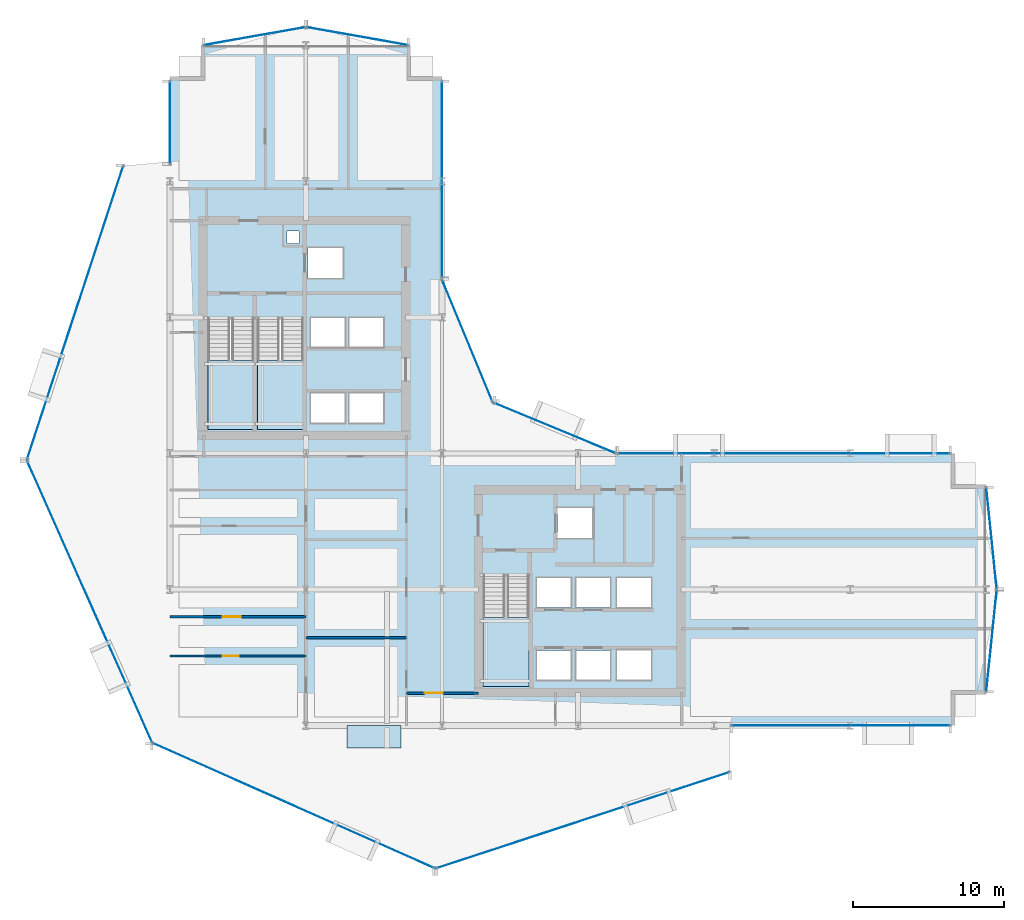
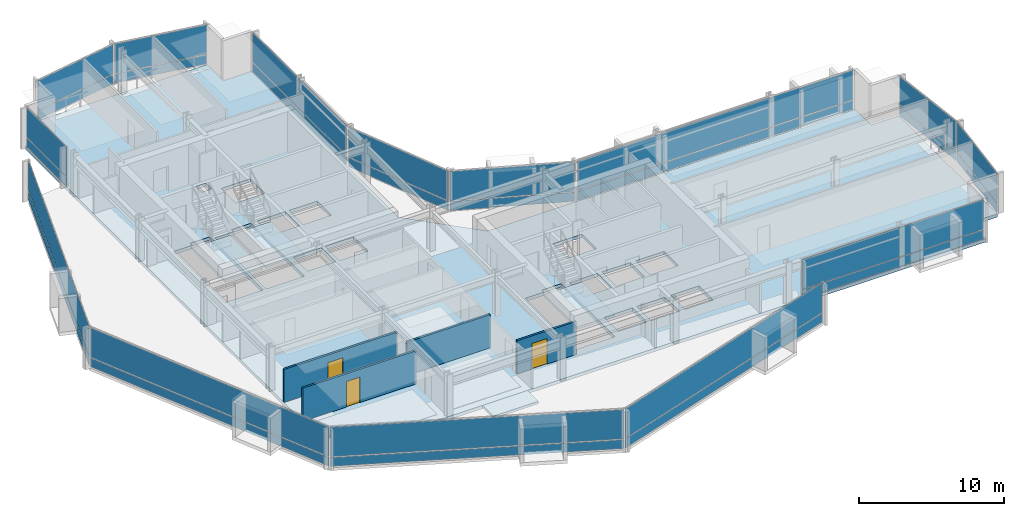
# One storey, part 26 of 34: 28 plates, 5 slabs, 4 walls, 3 doors, 3 openings, 17 elements without a shape of their own.
"""IFC4 building model written with IfcOpenShell, lengths in metres."""

from ifc_helpers import new_model, si_unit, direction, frame, frame_2d, origin, origin_2d, place, context, subcontext, project, spatial, polyline, rectangle, outline, extrude, material, layer, layer_set, type_object, element, fill, aggregate, save


model = new_model("IFC4")

# Units and contexts
model_context = context("Model", 3, precision=1e-05, world=origin(), true_north=direction((0.0, 1.0)))
body_context = subcontext(model_context, "Body", "Model", "MODEL_VIEW")
ifc_project = project(units=[si_unit("LENGTHUNIT", "METRE"), si_unit("AREAUNIT", "SQUARE_METRE"), si_unit("VOLUMEUNIT", "CUBIC_METRE"), si_unit("PLANEANGLEUNIT", "RADIAN"), si_unit("MASSUNIT", "GRAM", prefix="KILO")], contexts=[model_context])

# Site, building, storey
site_placement = place(None, origin())
site = spatial("IfcSite", under=ifc_project, at=site_placement, CompositionType="ELEMENT")
building_placement = place(site_placement, origin())
building = spatial("IfcBuilding", under=site, at=building_placement, Name="Solvaryn Broadcast Tower", CompositionType="ELEMENT")
storey_placement = place(building_placement, frame((0.0, 0.0, 36.0)))
storey = spatial("IfcBuildingStorey", under=building, at=storey_placement, Name="L07", CompositionType="ELEMENT", Elevation=36.0)

# Curtain wall, plates
ifc_material_1 = material(Name="Aluminium and Terracotta Unitised Curtain Wall", Category="masonry")
ifc_layer_1 = layer(ifc_material_1, 0.199951171875)
ifc_layer_set_1 = layer_set([ifc_layer_1], Name="CW-SYS2-LOWMID")
curtain_wall_type_1 = type_object("IfcCurtainWallType", Name="CW-SYS2-LOWMID", PredefinedType="NOTDEFINED", material=ifc_layer_set_1)
curtain_wall_1_placement = place(storey_placement, origin())
curtain_wall_1 = element("IfcCurtainWall", 1, at=curtain_wall_1_placement, inside=storey, type_object=curtain_wall_type_1, Name="L07 Curtain Wall DR1", PredefinedType="NOTDEFINED")
ifc_material_2 = material(Name="Low-Iron Insulated Vision Glass", Category="glass")
ifc_layer_2 = layer(ifc_material_2, 0.035888671875)
ifc_layer_set_2 = layer_set([ifc_layer_2], Name="CW-PNL-VISION")
plate_type = type_object("IfcPlateType", Name="CW-PNL-VISION", PredefinedType="CURTAIN_PANEL", material=ifc_layer_set_2)
plate_1_placement = place(storey_placement, frame((2.72607421875, 36.2880859375, 0.06005859375), z_axis=(0.0, 0.0, 1.0), x_axis=(-0.311594044587, -0.950215318429, 0.0)))
plate_1 = element("IfcPlate", 2, at=plate_1_placement, type_object=plate_type, Name="CWS2 panel 1.1", PredefinedType="CURTAIN_PANEL", context=body_context, shape_type="SweptSolid", body=[
    extrude(rectangle(XDim=20.35546875, YDim=0.028076171875, at=origin_2d()), origin(), (0.0, 0.0, 1.0), 0.760009765625),
])
plate_2_placement = place(storey_placement, frame((2.72607421875, 36.2880859375, 0.880126953125), z_axis=(0.0, 0.0, 1.0), x_axis=(-0.311594044587, -0.950215318429, 0.0)))
plate_2 = element("IfcPlate", 3, at=plate_2_placement, type_object=plate_type, Name="CWS2 panel 1.2", PredefinedType="CURTAIN_PANEL", context=body_context, shape_type="SweptSolid", body=[
    extrude(rectangle(XDim=20.35546875, YDim=0.028076171875, at=origin_2d()), origin(), (0.0, 0.0, 1.0), 2.47998046875),
])
aggregate(curtain_wall_1, [plate_1, plate_2])

ifc_material_3 = material(Name="Aluminium and Terracotta Unitised Curtain Wall", Category="masonry")
ifc_layer_3 = layer(ifc_material_3, 0.239990234375)
ifc_layer_set_3 = layer_set([ifc_layer_3], Name="CW-SYS3-BAYBOX")
curtain_wall_type_2 = type_object("IfcCurtainWallType", Name="CW-SYS3-BAYBOX", PredefinedType="NOTDEFINED", material=ifc_layer_set_3)
curtain_wall_2_placement = place(storey_placement, origin())
curtain_wall_2 = element("IfcCurtainWall", 4, at=curtain_wall_2_placement, inside=storey, type_object=curtain_wall_type_2, Name="L07 Curtain Wall DR2", PredefinedType="NOTDEFINED")
plate_3_placement = place(storey_placement, frame((3.69140625, 17.20361328125, 0.06005859375), z_axis=(0.0, 0.0, 1.0), x_axis=(0.405898286554, -0.913918257271, 0.0)))
plate_3 = element("IfcPlate", 5, at=plate_3_placement, type_object=plate_type, Name="CWS3 panel 1.1", PredefinedType="CURTAIN_PANEL", context=body_context, shape_type="SweptSolid", body=[
    extrude(rectangle(XDim=20.35546875, YDim=0.028076171875, at=origin_2d()), origin(), (0.0, 0.0, 1.0), 0.760009765625),
])
plate_4_placement = place(storey_placement, frame((3.69140625, 17.20361328125, 0.880126953125), z_axis=(0.0, 0.0, 1.0), x_axis=(0.405898286554, -0.913918257271, 0.0)))
plate_4 = element("IfcPlate", 6, at=plate_4_placement, type_object=plate_type, Name="CWS3 panel 1.2", PredefinedType="CURTAIN_PANEL", context=body_context, shape_type="SweptSolid", body=[
    extrude(rectangle(XDim=20.35546875, YDim=0.028076171875, at=origin_2d()), origin(), (0.0, 0.0, 1.0), 2.47998046875),
])
aggregate(curtain_wall_2, [plate_3, plate_4])

curtain_wall_3_placement = place(storey_placement, origin())
curtain_wall_3 = element("IfcCurtainWall", 7, at=curtain_wall_3_placement, inside=storey, type_object=curtain_wall_type_1, Name="L07 Curtain Wall DR3", PredefinedType="NOTDEFINED")
plate_5_placement = place(storey_placement, frame((17.20361328125, 3.69140625, 0.06005859375), z_axis=(0.0, 0.0, 1.0), x_axis=(0.913918257271, -0.405898286554, 0.0)))
plate_5 = element("IfcPlate", 8, at=plate_5_placement, type_object=plate_type, Name="CWS2 panel 1.1", PredefinedType="CURTAIN_PANEL", context=body_context, shape_type="SweptSolid", body=[
    extrude(rectangle(XDim=20.35546875, YDim=0.028076171875, at=origin_2d()), origin(), (0.0, 0.0, 1.0), 0.760009765625),
])
plate_6_placement = place(storey_placement, frame((17.20361328125, 3.69140625, 0.880126953125), z_axis=(0.0, 0.0, 1.0), x_axis=(0.913918257271, -0.405898286554, 0.0)))
plate_6 = element("IfcPlate", 9, at=plate_6_placement, type_object=plate_type, Name="CWS2 panel 1.2", PredefinedType="CURTAIN_PANEL", context=body_context, shape_type="SweptSolid", body=[
    extrude(rectangle(XDim=20.35546875, YDim=0.028076171875, at=origin_2d()), origin(), (0.0, 0.0, 1.0), 2.47998046875),
])
aggregate(curtain_wall_3, [plate_5, plate_6])

curtain_wall_4_placement = place(storey_placement, origin())
curtain_wall_4 = element("IfcCurtainWall", 10, at=curtain_wall_4_placement, inside=storey, type_object=curtain_wall_type_1, Name="L07 Curtain Wall DR4", PredefinedType="NOTDEFINED")
plate_7_placement = place(storey_placement, frame((36.2880859375, 2.72607421875, 0.06005859375), z_axis=(0.0, 0.0, 1.0), x_axis=(0.950215318429, 0.311594044587, 0.0)))
plate_7 = element("IfcPlate", 11, at=plate_7_placement, type_object=plate_type, Name="CWS2 panel 1.1", PredefinedType="CURTAIN_PANEL", context=body_context, shape_type="SweptSolid", body=[
    extrude(rectangle(XDim=20.35546875, YDim=0.028076171875, at=origin_2d()), origin(), (0.0, 0.0, 1.0), 0.760009765625),
])
plate_8_placement = place(storey_placement, frame((36.2880859375, 2.72607421875, 0.880126953125), z_axis=(0.0, 0.0, 1.0), x_axis=(0.950215318429, 0.311594044587, 0.0)))
plate_8 = element("IfcPlate", 12, at=plate_8_placement, type_object=plate_type, Name="CWS2 panel 1.2", PredefinedType="CURTAIN_PANEL", context=body_context, shape_type="SweptSolid", body=[
    extrude(rectangle(XDim=20.35546875, YDim=0.028076171875, at=origin_2d()), origin(), (0.0, 0.0, 1.0), 2.47998046875),
])
aggregate(curtain_wall_4, [plate_7, plate_8])

curtain_wall_5_placement = place(storey_placement, origin())
curtain_wall_5 = element("IfcCurtainWall", 13, at=curtain_wall_5_placement, inside=storey, type_object=curtain_wall_type_1, Name="L07 Curtain Wall W2", PredefinedType="NOTDEFINED")
plate_9_placement = place(storey_placement, frame((9.0, 48.883056640625, 0.06005859375), z_axis=(0.0, 0.0, 1.0), x_axis=(0.0, 1.0, 0.0)))
plate_9 = element("IfcPlate", 14, at=plate_9_placement, type_object=plate_type, Name="CWS2 panel 1.1", PredefinedType="CURTAIN_PANEL", context=body_context, shape_type="SweptSolid", body=[
    extrude(rectangle(XDim=5.4140625, YDim=0.028076171875, at=origin_2d()), origin(), (0.0, 0.0, 1.0), 0.760009765625),
])
plate_10_placement = place(storey_placement, frame((9.0, 48.883056640625, 0.880126953125), z_axis=(0.0, 0.0, 1.0), x_axis=(0.0, 1.0, 0.0)))
plate_10 = element("IfcPlate", 15, at=plate_10_placement, type_object=plate_type, Name="CWS2 panel 1.2", PredefinedType="CURTAIN_PANEL", context=body_context, shape_type="SweptSolid", body=[
    extrude(rectangle(XDim=5.4140625, YDim=0.028076171875, at=origin_2d()), origin(), (0.0, 0.0, 1.0), 2.47998046875),
])
aggregate(curtain_wall_5, [plate_9, plate_10])

curtain_wall_6_placement = place(storey_placement, origin())
curtain_wall_6 = element("IfcCurtainWall", 16, at=curtain_wall_6_placement, inside=storey, type_object=curtain_wall_type_1, Name="L07 Curtain Wall IV", PredefinedType="NOTDEFINED")
plate_11_placement = place(storey_placement, frame((27.0, 45.125, 0.06005859375), z_axis=(0.0, 0.0, 1.0), x_axis=(0.0, -1.0, 0.0)))
plate_11 = element("IfcPlate", 17, at=plate_11_placement, type_object=plate_type, Name="CWS2 panel 1.1", PredefinedType="CURTAIN_PANEL", context=body_context, shape_type="SweptSolid", body=[
    extrude(rectangle(XDim=12.929931640625, YDim=0.028076171875, at=origin_2d()), origin(), (0.0, 0.0, 1.0), 0.760009765625),
])
plate_12_placement = place(storey_placement, frame((27.0, 45.125, 0.880126953125), z_axis=(0.0, 0.0, 1.0), x_axis=(0.0, -1.0, 0.0)))
plate_12 = element("IfcPlate", 18, at=plate_12_placement, type_object=plate_type, Name="CWS2 panel 1.2", PredefinedType="CURTAIN_PANEL", context=body_context, shape_type="SweptSolid", body=[
    extrude(rectangle(XDim=12.929931640625, YDim=0.028076171875, at=origin_2d()), origin(), (0.0, 0.0, 1.0), 2.47998046875),
])
aggregate(curtain_wall_6, [plate_11, plate_12])

curtain_wall_7_placement = place(storey_placement, origin())
curtain_wall_7 = element("IfcCurtainWall", 19, at=curtain_wall_7_placement, inside=storey, type_object=curtain_wall_type_1, Name="L07 Curtain Wall CN1", PredefinedType="NOTDEFINED")
plate_13_placement = place(storey_placement, frame((34.43408203125, 28.68408203125, 0.06005859375), z_axis=(0.0, 0.0, 1.0), x_axis=(-0.923894983957, 0.382646127145, 0.0)))
plate_13 = element("IfcPlate", 20, at=plate_13_placement, type_object=plate_type, Name="CWS2 panel 1.1", PredefinedType="CURTAIN_PANEL", context=body_context, shape_type="SweptSolid", body=[
    extrude(rectangle(XDim=8.681884765625, YDim=0.028076171875, at=origin_2d()), origin(), (0.0, 0.0, 1.0), 0.760009765625),
])
plate_14_placement = place(storey_placement, frame((34.43408203125, 28.68408203125, 0.880126953125), z_axis=(0.0, 0.0, 1.0), x_axis=(-0.923894983957, 0.382646127145, 0.0)))
plate_14 = element("IfcPlate", 21, at=plate_14_placement, type_object=plate_type, Name="CWS2 panel 1.2", PredefinedType="CURTAIN_PANEL", context=body_context, shape_type="SweptSolid", body=[
    extrude(rectangle(XDim=8.681884765625, YDim=0.028076171875, at=origin_2d()), origin(), (0.0, 0.0, 1.0), 2.47998046875),
])
aggregate(curtain_wall_7, [plate_13, plate_14])

curtain_wall_8_placement = place(storey_placement, origin())
curtain_wall_8 = element("IfcCurtainWall", 22, at=curtain_wall_8_placement, inside=storey, type_object=curtain_wall_type_1, Name="L07 Curtain Wall CN2", PredefinedType="NOTDEFINED")
plate_15_placement = place(storey_placement, frame((28.68408203125, 34.43408203125, 0.06005859375), z_axis=(0.0, 0.0, 1.0), x_axis=(-0.382646127145, 0.923894983957, 0.0)))
plate_15 = element("IfcPlate", 23, at=plate_15_placement, type_object=plate_type, Name="CWS2 panel 1.1", PredefinedType="CURTAIN_PANEL", context=body_context, shape_type="SweptSolid", body=[
    extrude(rectangle(XDim=8.681884765625, YDim=0.028076171875, at=origin_2d()), origin(), (0.0, 0.0, 1.0), 0.760009765625),
])
plate_16_placement = place(storey_placement, frame((28.68408203125, 34.43408203125, 0.880126953125), z_axis=(0.0, 0.0, 1.0), x_axis=(-0.382646127145, 0.923894983957, 0.0)))
plate_16 = element("IfcPlate", 24, at=plate_16_placement, type_object=plate_type, Name="CWS2 panel 1.2", PredefinedType="CURTAIN_PANEL", context=body_context, shape_type="SweptSolid", body=[
    extrude(rectangle(XDim=8.681884765625, YDim=0.028076171875, at=origin_2d()), origin(), (0.0, 0.0, 1.0), 2.47998046875),
])
aggregate(curtain_wall_8, [plate_15, plate_16])

curtain_wall_9_placement = place(storey_placement, origin())
curtain_wall_9 = element("IfcCurtainWall", 25, at=curtain_wall_9_placement, inside=storey, type_object=curtain_wall_type_1, Name="L07 Curtain Wall S2", PredefinedType="NOTDEFINED")
plate_17_placement = place(storey_placement, frame((53.383056640625, 9.0, 0.06005859375), z_axis=(0.0, 0.0, 1.0), x_axis=(1.0, 0.0, 0.0)))
plate_17 = element("IfcPlate", 26, at=plate_17_placement, type_object=plate_type, Name="CWS2 panel 1.1", PredefinedType="CURTAIN_PANEL", context=body_context, shape_type="SweptSolid", body=[
    extrude(rectangle(XDim=14.4140625, YDim=0.028076171875, at=origin_2d()), origin(), (0.0, 0.0, 1.0), 0.760009765625),
])
plate_18_placement = place(storey_placement, frame((53.383056640625, 9.0, 0.880126953125), z_axis=(0.0, 0.0, 1.0), x_axis=(1.0, 0.0, 0.0)))
plate_18 = element("IfcPlate", 27, at=plate_18_placement, type_object=plate_type, Name="CWS2 panel 1.2", PredefinedType="CURTAIN_PANEL", context=body_context, shape_type="SweptSolid", body=[
    extrude(rectangle(XDim=14.4140625, YDim=0.028076171875, at=origin_2d()), origin(), (0.0, 0.0, 1.0), 2.47998046875),
])
aggregate(curtain_wall_9, [plate_17, plate_18])

curtain_wall_10_placement = place(storey_placement, origin())
curtain_wall_10 = element("IfcCurtainWall", 28, at=curtain_wall_10_placement, inside=storey, type_object=curtain_wall_type_1, Name="L07 Curtain Wall NT1", PredefinedType="NOTDEFINED")
plate_19_placement = place(storey_placement, frame((21.39990234375, 54.60009765625, 0.06005859375), z_axis=(0.0, 0.0, 1.0), x_axis=(-0.984783558819, 0.173785333901, 0.0)))
plate_19 = element("IfcPlate", 29, at=plate_19_placement, type_object=plate_type, Name="CWS2 panel 1.1", PredefinedType="CURTAIN_PANEL", context=body_context, shape_type="SweptSolid", body=[
    extrude(rectangle(XDim=6.78515625, YDim=0.028076171875, at=origin_2d()), origin(), (0.0, 0.0, 1.0), 0.760009765625),
])
plate_20_placement = place(storey_placement, frame((21.39990234375, 54.60009765625, 0.880126953125), z_axis=(0.0, 0.0, 1.0), x_axis=(-0.984783558819, 0.173785333901, 0.0)))
plate_20 = element("IfcPlate", 30, at=plate_20_placement, type_object=plate_type, Name="CWS2 panel 1.2", PredefinedType="CURTAIN_PANEL", context=body_context, shape_type="SweptSolid", body=[
    extrude(rectangle(XDim=6.78515625, YDim=0.028076171875, at=origin_2d()), origin(), (0.0, 0.0, 1.0), 2.47998046875),
])
aggregate(curtain_wall_10, [plate_19, plate_20])

curtain_wall_11_placement = place(storey_placement, origin())
curtain_wall_11 = element("IfcCurtainWall", 31, at=curtain_wall_11_placement, inside=storey, type_object=curtain_wall_type_1, Name="L07 Curtain Wall NT2", PredefinedType="NOTDEFINED")
plate_21_placement = place(storey_placement, frame((14.60009765625, 54.60009765625, 0.06005859375), z_axis=(0.0, 0.0, 1.0), x_axis=(-0.984783558819, -0.173785333901, 0.0)))
plate_21 = element("IfcPlate", 32, at=plate_21_placement, type_object=plate_type, Name="CWS2 panel 1.1", PredefinedType="CURTAIN_PANEL", context=body_context, shape_type="SweptSolid", body=[
    extrude(rectangle(XDim=6.78515625, YDim=0.028076171875, at=origin_2d()), origin(), (0.0, 0.0, 1.0), 0.760009765625),
])
plate_22_placement = place(storey_placement, frame((14.60009765625, 54.60009765625, 0.880126953125), z_axis=(0.0, 0.0, 1.0), x_axis=(-0.984783558819, -0.173785333901, 0.0)))
plate_22 = element("IfcPlate", 33, at=plate_22_placement, type_object=plate_type, Name="CWS2 panel 1.2", PredefinedType="CURTAIN_PANEL", context=body_context, shape_type="SweptSolid", body=[
    extrude(rectangle(XDim=6.78515625, YDim=0.028076171875, at=origin_2d()), origin(), (0.0, 0.0, 1.0), 2.47998046875),
])
aggregate(curtain_wall_11, [plate_21, plate_22])

curtain_wall_12_placement = place(storey_placement, origin())
curtain_wall_12 = element("IfcCurtainWall", 34, at=curtain_wall_12_placement, inside=storey, type_object=curtain_wall_type_1, Name="L07 Curtain Wall ET1", PredefinedType="NOTDEFINED")
plate_23_placement = place(storey_placement, frame((63.35009765625, 21.39990234375, 0.06005859375), z_axis=(0.0, 0.0, 1.0), x_axis=(0.10240004548, -0.99474329889, 0.0)))
plate_23 = element("IfcPlate", 35, at=plate_23_placement, type_object=plate_type, Name="CWS2 panel 1.1", PredefinedType="CURTAIN_PANEL", context=body_context, shape_type="SweptSolid", body=[
    extrude(rectangle(XDim=6.7158203125, YDim=0.028076171875, at=origin_2d()), origin(), (0.0, 0.0, 1.0), 0.760009765625),
])
plate_24_placement = place(storey_placement, frame((63.35009765625, 21.39990234375, 0.880126953125), z_axis=(0.0, 0.0, 1.0), x_axis=(0.10240004548, -0.99474329889, 0.0)))
plate_24 = element("IfcPlate", 36, at=plate_24_placement, type_object=plate_type, Name="CWS2 panel 1.2", PredefinedType="CURTAIN_PANEL", context=body_context, shape_type="SweptSolid", body=[
    extrude(rectangle(XDim=6.7158203125, YDim=0.028076171875, at=origin_2d()), origin(), (0.0, 0.0, 1.0), 2.47998046875),
])
aggregate(curtain_wall_12, [plate_23, plate_24])

curtain_wall_13_placement = place(storey_placement, origin())
curtain_wall_13 = element("IfcCurtainWall", 37, at=curtain_wall_13_placement, inside=storey, type_object=curtain_wall_type_1, Name="L07 Curtain Wall ET2", PredefinedType="NOTDEFINED")
plate_25_placement = place(storey_placement, frame((63.35009765625, 14.60009765625, 0.06005859375), z_axis=(0.0, 0.0, 1.0), x_axis=(-0.10240004548, -0.99474329889, 0.0)))
plate_25 = element("IfcPlate", 38, at=plate_25_placement, type_object=plate_type, Name="CWS2 panel 1.1", PredefinedType="CURTAIN_PANEL", context=body_context, shape_type="SweptSolid", body=[
    extrude(rectangle(XDim=6.7158203125, YDim=0.028076171875, at=origin_2d()), origin(), (0.0, 0.0, 1.0), 0.760009765625),
])
plate_26_placement = place(storey_placement, frame((63.35009765625, 14.60009765625, 0.880126953125), z_axis=(0.0, 0.0, 1.0), x_axis=(-0.10240004548, -0.99474329889, 0.0)))
plate_26 = element("IfcPlate", 39, at=plate_26_placement, type_object=plate_type, Name="CWS2 panel 1.2", PredefinedType="CURTAIN_PANEL", context=body_context, shape_type="SweptSolid", body=[
    extrude(rectangle(XDim=6.7158203125, YDim=0.028076171875, at=origin_2d()), origin(), (0.0, 0.0, 1.0), 2.47998046875),
])
aggregate(curtain_wall_13, [plate_25, plate_26])

curtain_wall_14_placement = place(storey_placement, origin())
curtain_wall_14 = element("IfcCurtainWall", 40, at=curtain_wall_14_placement, inside=storey, type_object=curtain_wall_type_1, Name="L07 Curtain Wall IH", PredefinedType="NOTDEFINED")
plate_27_placement = place(storey_placement, frame((49.625, 27.0, 0.06005859375), z_axis=(0.0, 0.0, 1.0), x_axis=(1.0, 0.0, 0.0)))
plate_27 = element("IfcPlate", 41, at=plate_27_placement, type_object=plate_type, Name="CWS2 panel 1.1", PredefinedType="CURTAIN_PANEL", context=body_context, shape_type="SweptSolid", body=[
    extrude(rectangle(XDim=21.929931640625, YDim=0.028076171875, at=origin_2d()), origin(), (0.0, 0.0, 1.0), 0.760009765625),
])
plate_28_placement = place(storey_placement, frame((49.625, 27.0, 0.880126953125), z_axis=(0.0, 0.0, 1.0), x_axis=(1.0, 0.0, 0.0)))
plate_28 = element("IfcPlate", 42, at=plate_28_placement, type_object=plate_type, Name="CWS2 panel 1.2", PredefinedType="CURTAIN_PANEL", context=body_context, shape_type="SweptSolid", body=[
    extrude(rectangle(XDim=21.929931640625, YDim=0.028076171875, at=origin_2d()), origin(), (0.0, 0.0, 1.0), 2.47998046875),
])
aggregate(curtain_wall_14, [plate_27, plate_28])

# Slab
ifc_material_4 = material(Name="Concrete f'c 60 MPa", Category="concrete")
ifc_layer_4 = layer(ifc_material_4, 0.2099609375)
ifc_layer_set_4 = layer_set([ifc_layer_4], Name="SL-BAYBOX-210")
slab_type_1 = type_object("IfcSlabType", Name="SL-BAYBOX-210", PredefinedType="FLOOR", material=ifc_layer_set_4)
slab_1_placement = place(storey_placement, frame((0.0, 0.0, -0.2099609375)))
element("IfcSlab", 43, at=slab_1_placement, inside=storey, type_object=slab_type_1, Name="L07 Projecting Bay-Box Slab 1", PredefinedType="FLOOR", context=body_context, shape_type="SweptSolid", body=[
    extrude(outline(polyline([(20.699951171875, 7.5), (24.300048828125, 7.5), (24.300048828125, 9.0), (20.699951171875, 9.0), (20.699951171875, 7.5)])), origin(), (0.0, 0.0, 1.0), 0.2099609375),
])

# Stair, slab
ifc_material_5 = material(Name="Concrete f'c 60 MPa", Category="concrete")
stair_type = type_object("IfcStairType", Name="ST-CORE", PredefinedType="HALF_TURN_STAIR", material=ifc_material_5)
stair_1_placement = place(storey_placement, origin())
stair_1 = element("IfcStair", 44, at=stair_1_placement, inside=storey, type_object=stair_type, Name="L07 ST1", PredefinedType="HALF_TURN_STAIR")
ifc_material_6 = material(Name="Concrete f'c 60 MPa", Category="concrete")
ifc_layer_5 = layer(ifc_material_6, 0.199951171875)
ifc_layer_set_5 = layer_set([ifc_layer_5], Name="SL-LANDING-200")
slab_type_2 = type_object("IfcSlabType", Name="SL-LANDING-200", PredefinedType="LANDING", material=ifc_layer_set_5)
slab_2_placement = place(storey_placement, frame((0.0, 0.0, 1.64990234375)))
slab_2 = element("IfcSlab", 45, at=slab_2_placement, type_object=slab_type_2, Name="ST1 landing 1", PredefinedType="LANDING", context=body_context, shape_type="SweptSolid", body=[
    extrude(outline(polyline([(11.52001953125, 33.159912109375), (11.52001953125, 28.60009765625), (14.550048828125, 28.60009765625), (14.550048828125, 33.159912109375), (11.52001953125, 33.159912109375)])), origin(), (0.0, 0.0, 1.0), 0.2001953125),
])
aggregate(stair_1, [slab_2])

stair_2_placement = place(storey_placement, origin())
stair_2 = element("IfcStair", 46, at=stair_2_placement, inside=storey, type_object=stair_type, Name="L07 ST2", PredefinedType="HALF_TURN_STAIR")
slab_3_placement = place(storey_placement, frame((0.0, 0.0, 1.64990234375)))
slab_3 = element("IfcSlab", 47, at=slab_3_placement, type_object=slab_type_2, Name="ST2 landing 1", PredefinedType="LANDING", context=body_context, shape_type="SweptSolid", body=[
    extrude(outline(polyline([(14.800048828125, 33.159912109375), (14.800048828125, 28.60009765625), (17.830078125, 28.60009765625), (17.830078125, 33.159912109375), (14.800048828125, 33.159912109375)])), origin(), (0.0, 0.0, 1.0), 0.2001953125),
])
aggregate(stair_2, [slab_3])

stair_3_placement = place(storey_placement, origin())
stair_3 = element("IfcStair", 48, at=stair_3_placement, inside=storey, type_object=stair_type, Name="L07 ST3", PredefinedType="HALF_TURN_STAIR")
slab_4_placement = place(storey_placement, frame((0.0, 0.0, 1.64990234375)))
slab_4 = element("IfcSlab", 49, at=slab_4_placement, type_object=slab_type_2, Name="ST3 landing 1", PredefinedType="LANDING", context=body_context, shape_type="SweptSolid", body=[
    extrude(outline(polyline([(29.719970703125, 16.159912109375), (29.719970703125, 11.60009765625), (32.75, 11.60009765625), (32.75, 16.159912109375), (29.719970703125, 16.159912109375)])), origin(), (0.0, 0.0, 1.0), 0.2001953125),
])
aggregate(stair_3, [slab_4])

# Slab
ifc_material_7 = material(Name="Concrete f'c 60 MPa", Category="concrete")
ifc_layer_6 = layer(ifc_material_7, 0.280029296875)
ifc_layer_set_6 = layer_set([ifc_layer_6], Name="SL-TWR-280")
slab_type_3 = type_object("IfcSlabType", Name="SL-TWR-280", PredefinedType="FLOOR", material=ifc_layer_set_6)
slab_5_placement = place(storey_placement, frame((0.0, 0.0, -0.280029296875)))
element("IfcSlab", 50, at=slab_5_placement, inside=storey, type_object=slab_type_3, Name="L07 Structural Floor Slab", PredefinedType="FLOOR", context=body_context, shape_type="SweptSolid", body=[
    extrude(outline(polyline([(11.199951171875, 9.0), (60.800048828125, 9.0), (60.800048828125, 11.199951171875), (63.0, 11.199951171875), (63.0, 24.800048828125), (60.800048828125, 24.800048828125), (60.800048828125, 27.0), (31.5, 27.0), (27.0, 31.5), (27.0, 51.800048828125), (24.800048828125, 51.800048828125), (24.800048828125, 54.0), (11.199951171875, 54.0), (11.199951171875, 51.800048828125), (9.0, 51.800048828125), (9.0, 11.199951171875), (11.199951171875, 11.199951171875), (11.199951171875, 9.0)]), holes=[polyline([(11.52001953125, 28.60009765625), (14.550048828125, 28.60009765625), (14.550048828125, 35.9599609375), (12.97998046875, 35.9599609375), (12.97998046875, 35.679931640625), (11.52001953125, 35.679931640625), (11.52001953125, 28.60009765625)]), polyline([(14.800048828125, 28.60009765625), (17.830078125, 28.60009765625), (17.830078125, 35.9599609375), (16.260009765625, 35.9599609375), (16.260009765625, 35.679931640625), (14.800048828125, 35.679931640625), (14.800048828125, 28.60009765625)]), polyline([(29.719970703125, 11.60009765625), (32.75, 11.60009765625), (32.75, 18.9599609375), (31.179931640625, 18.9599609375), (31.179931640625, 18.679931640625), (29.719970703125, 18.679931640625), (29.719970703125, 11.60009765625)]), polyline([(18.14990234375, 38.60009765625), (20.449951171875, 38.60009765625), (20.449951171875, 40.60009765625), (18.14990234375, 40.60009765625), (18.14990234375, 38.60009765625)]), polyline([(18.324951171875, 29.02490234375), (20.574951171875, 29.02490234375), (20.574951171875, 30.97509765625), (18.324951171875, 30.97509765625), (18.324951171875, 29.02490234375)]), polyline([(20.875, 29.02490234375), (23.125, 29.02490234375), (23.125, 30.97509765625), (20.875, 30.97509765625), (20.875, 29.02490234375)]), polyline([(18.324951171875, 34.02490234375), (20.574951171875, 34.02490234375), (20.574951171875, 35.97509765625), (18.324951171875, 35.97509765625), (18.324951171875, 34.02490234375)]), polyline([(20.875, 34.02490234375), (23.125, 34.02490234375), (23.125, 35.97509765625), (20.875, 35.97509765625), (20.875, 34.02490234375)]), polyline([(34.64990234375, 21.39990234375), (36.949951171875, 21.39990234375), (36.949951171875, 23.39990234375), (34.64990234375, 23.39990234375), (34.64990234375, 21.39990234375)]), polyline([(33.27490234375, 12.02490234375), (35.52490234375, 12.02490234375), (35.52490234375, 13.97509765625), (33.27490234375, 13.97509765625), (33.27490234375, 12.02490234375)]), polyline([(35.875, 12.02490234375), (38.125, 12.02490234375), (38.125, 13.97509765625), (35.875, 13.97509765625), (35.875, 12.02490234375)]), polyline([(33.27490234375, 16.824951171875), (35.52490234375, 16.824951171875), (35.52490234375, 18.77490234375), (33.27490234375, 18.77490234375), (33.27490234375, 16.824951171875)]), polyline([(35.875, 16.824951171875), (38.125, 16.824951171875), (38.125, 18.77490234375), (35.875, 18.77490234375), (35.875, 16.824951171875)]), polyline([(38.574951171875, 12.02490234375), (40.824951171875, 12.02490234375), (40.824951171875, 13.97509765625), (38.574951171875, 13.97509765625), (38.574951171875, 12.02490234375)]), polyline([(38.574951171875, 16.824951171875), (40.824951171875, 16.824951171875), (40.824951171875, 18.77490234375), (38.574951171875, 18.77490234375), (38.574951171875, 16.824951171875)]), polyline([(16.75, 40.89990234375), (17.550048828125, 40.89990234375), (17.550048828125, 41.699951171875), (16.75, 41.699951171875), (16.75, 40.89990234375)])]), origin(), (0.0, 0.0, 1.0), 0.280029296875),
])

# Wall
ifc_material_8 = material(Name="Metal-Stud Gypsum Office Partition")
ifc_layer_7 = layer(ifc_material_8, 0.159912109375)
ifc_layer_set_7 = layer_set([ifc_layer_7], Name="IW-PART-160")
wall_type = type_object("IfcWallType", Name="IW-PART-160", PredefinedType="PARTITIONING", material=ifc_layer_set_7)
wall_1_placement = place(storey_placement, frame((18.0, 14.800048828125, 0.0), z_axis=(0.0, 0.0, 1.0), x_axis=(1.0, 0.0, 0.0)))
element("IfcWall", 51, at=wall_1_placement, inside=storey, type_object=wall_type, Name="L07 Interior Partition IW-L07-SWE-H1", PredefinedType="PARTITIONING", context=body_context, shape_type="SweptSolid", body=[
    extrude(rectangle(XDim=6.64990234375, YDim=0.159912109375, at=frame_2d((3.324951171875, 0.0))), origin(), (0.0, 0.0, 1.0), 2.7919921875),
])

# Wall, opening, door
wall_2_placement = place(storey_placement, frame((9.0, 13.60009765625, 0.0), z_axis=(0.0, 0.0, 1.0), x_axis=(1.0, 0.0, 0.0)))
wall_2 = element("IfcWall", 52, at=wall_2_placement, inside=storey, type_object=wall_type, Name="L07 Interior Partition IW-L07-SWW-H1", PredefinedType="PARTITIONING", context=body_context, shape_type="SweptSolid", body=[
    extrude(rectangle(XDim=9.0, YDim=0.159912109375, at=frame_2d((4.5, 0.0))), origin(), (0.0, 0.0, 1.0), 2.7919921875),
])
opening_1_placement = place(wall_2_placement, frame((3.5, 0.0, 0.0)))
opening_1 = element("IfcOpeningElement", 53, at=opening_1_placement, cuts=wall_2, Name="Opening ID03", PredefinedType="OPENING", context=body_context, shape_type="SweptSolid", body=[
    extrude(rectangle(XDim=1.050048828125, YDim=2.14990234375, at=frame_2d((0.52490234375, 1.074951171875))), frame((0.0, 0.090087890625, 0.0), z_axis=(0.0, -1.0, 0.0), x_axis=(1.0, 0.0, 0.0)), (0.0, 0.0, 1.0), 0.179931640625),
])
ifc_material_9 = material(Name="Flush Acoustic Steel and Timber Door Assembly", Category="steel")
door_type_1 = type_object("IfcDoorType", Name="ID-03-1050X2150", OperationType="NOTDEFINED", PredefinedType="DOOR", material=ifc_material_9)
door_1_placement = place(opening_1_placement, origin())
door_1 = element("IfcDoor", 54, at=door_1_placement, inside=storey, type_object=door_type_1, Name="L07 Door DR-L07-SWW-1", OperationType="SINGLE_SWING_RIGHT", OverallHeight=2.14990234375, OverallWidth=1.050048828125, PredefinedType="DOOR", context=body_context, shape_type="SweptSolid", body=[
    extrude(rectangle(XDim=1.050048828125, YDim=2.14990234375, at=frame_2d((0.52490234375, 1.074951171875))), frame((0.0, 0.02490234375, 0.0), z_axis=(0.0, -1.0, 0.0), x_axis=(1.0, 0.0, 0.0)), (0.0, 0.0, 1.0), 0.050048828125),
])
fill(opening_1, door_1)

wall_3_placement = place(storey_placement, frame((9.0, 16.199951171875, 0.0), z_axis=(0.0, 0.0, 1.0), x_axis=(1.0, 0.0, 0.0)))
wall_3 = element("IfcWall", 55, at=wall_3_placement, inside=storey, type_object=wall_type, Name="L07 Interior Partition IW-L07-SWW-H2", PredefinedType="PARTITIONING", context=body_context, shape_type="SweptSolid", body=[
    extrude(rectangle(XDim=9.0, YDim=0.159912109375, at=frame_2d((4.5, 0.0))), origin(), (0.0, 0.0, 1.0), 2.7919921875),
])
opening_2_placement = place(wall_3_placement, frame((3.5, 0.0, 0.0)))
opening_2 = element("IfcOpeningElement", 56, at=opening_2_placement, cuts=wall_3, Name="Opening ID04", PredefinedType="OPENING", context=body_context, shape_type="SweptSolid", body=[
    extrude(rectangle(XDim=1.199951171875, YDim=2.14990234375, at=frame_2d((0.60009765625, 1.074951171875))), frame((0.0, 0.090087890625, 0.0), z_axis=(0.0, -1.0, 0.0), x_axis=(1.0, 0.0, 0.0)), (0.0, 0.0, 1.0), 0.179931640625),
])
ifc_material_10 = material(Name="Flush Acoustic Steel and Timber Door Assembly", Category="steel")
door_type_2 = type_object("IfcDoorType", Name="ID-04-1200X2150", OperationType="NOTDEFINED", PredefinedType="DOOR", material=ifc_material_10)
door_2_placement = place(opening_2_placement, origin())
door_2 = element("IfcDoor", 57, at=door_2_placement, inside=storey, type_object=door_type_2, Name="L07 Door DR-L07-SWW-2", OperationType="SINGLE_SWING_LEFT", OverallHeight=2.14990234375, OverallWidth=1.199951171875, PredefinedType="DOOR", context=body_context, shape_type="SweptSolid", body=[
    extrude(rectangle(XDim=1.199951171875, YDim=2.14990234375, at=frame_2d((0.60009765625, 1.074951171875))), frame((0.0, 0.02490234375, 0.0), z_axis=(0.0, -1.0, 0.0), x_axis=(1.0, 0.0, 0.0)), (0.0, 0.0, 1.0), 0.050048828125),
])
fill(opening_2, door_2)

wall_4_placement = place(storey_placement, frame((24.64990234375, 11.14990234375, 0.0), z_axis=(0.0, 0.0, 1.0), x_axis=(1.0, 0.0, 0.0)))
wall_4 = element("IfcWall", 58, at=wall_4_placement, inside=storey, type_object=wall_type, Name="L07 Interior Partition IW-L07-SC-N", PredefinedType="PARTITIONING", context=body_context, shape_type="SweptSolid", body=[
    extrude(rectangle(XDim=4.75, YDim=0.159912109375, at=frame_2d((2.375, 0.0))), origin(), (0.0, 0.0, 1.0), 2.7919921875),
])
opening_3_placement = place(wall_4_placement, frame((1.199951171875, 0.0, 0.0)))
opening_3 = element("IfcOpeningElement", 59, at=opening_3_placement, cuts=wall_4, Name="Opening ID04", PredefinedType="OPENING", context=body_context, shape_type="SweptSolid", body=[
    extrude(rectangle(XDim=1.199951171875, YDim=2.14990234375, at=frame_2d((0.60009765625, 1.074951171875))), frame((0.0, 0.090087890625, 0.0), z_axis=(0.0, -1.0, 0.0), x_axis=(1.0, 0.0, 0.0)), (0.0, 0.0, 1.0), 0.179931640625),
])
door_3_placement = place(opening_3_placement, origin())
door_3 = element("IfcDoor", 60, at=door_3_placement, inside=storey, type_object=door_type_2, Name="L07 Door DR-L07-SC0", OperationType="SINGLE_SWING_RIGHT", OverallHeight=2.14990234375, OverallWidth=1.199951171875, PredefinedType="DOOR", context=body_context, shape_type="SweptSolid", body=[
    extrude(rectangle(XDim=1.199951171875, YDim=2.14990234375, at=frame_2d((0.60009765625, 1.074951171875))), frame((0.0, 0.02490234375, 0.0), z_axis=(0.0, -1.0, 0.0), x_axis=(1.0, 0.0, 0.0)), (0.0, 0.0, 1.0), 0.050048828125),
])
fill(opening_3, door_3)

save(model, "model.ifc")
